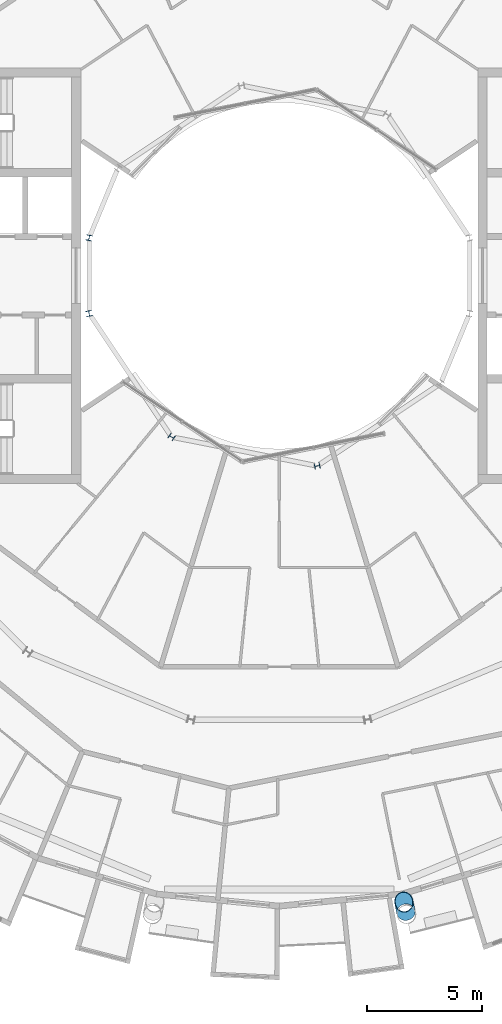
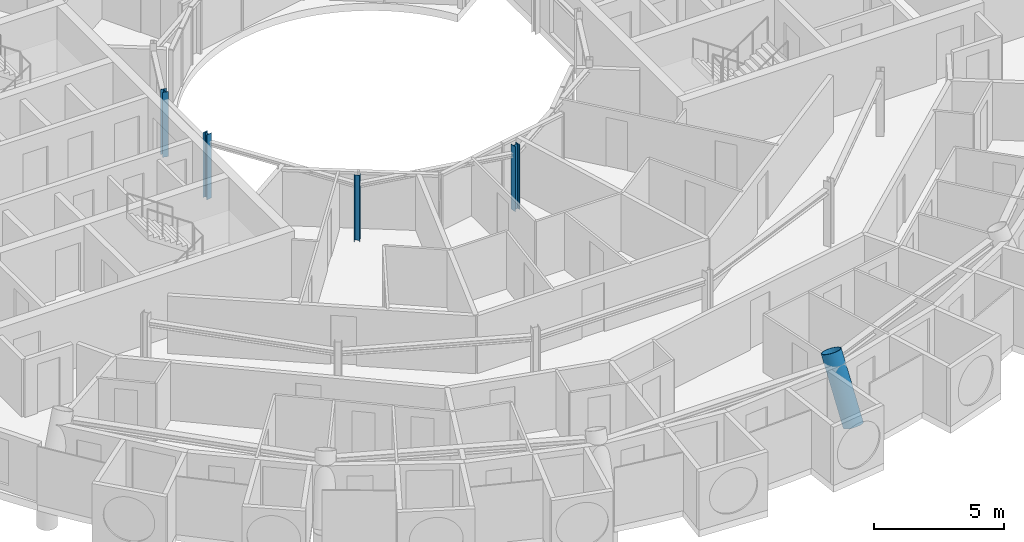
# One storey, part 2 of 28: 5 columns.
"""IFC4 building model written with IfcOpenShell, lengths in metres."""

from ifc_helpers import new_model, si_unit, direction, frame, origin, origin_2d, place, context, subcontext, project, spatial, hollow_circle, i_section, extrude, material, material_profile, profile_set, type_object, element, save


model = new_model("IFC4")

# Units and contexts
model_context = context("Model", 3, precision=1e-05, world=origin(), true_north=direction((0.0, 1.0)))
body_context = subcontext(model_context, "Body", "Model", "MODEL_VIEW")
ifc_project = project(units=[si_unit("LENGTHUNIT", "METRE"), si_unit("AREAUNIT", "SQUARE_METRE"), si_unit("VOLUMEUNIT", "CUBIC_METRE"), si_unit("PLANEANGLEUNIT", "RADIAN"), si_unit("MASSUNIT", "GRAM", prefix="KILO")], contexts=[model_context])

# Site, building, storey
site_placement = place(None, origin())
site = spatial("IfcSite", under=ifc_project, at=site_placement, CompositionType="ELEMENT")
building_placement = place(site_placement, origin())
building = spatial("IfcBuilding", under=site, at=building_placement, Name="Maasbend Ring Residences", CompositionType="ELEMENT")
storey_placement = place(building_placement, frame((0.0, 0.0, 231.0)))
storey = spatial("IfcBuildingStorey", under=building, at=storey_placement, Name="L66", CompositionType="ELEMENT", Elevation=231.0)

# Columns
ifc_material_1 = material(Name="Composite concrete-filled steel tube S460NH / C80/95", Category="concrete")
ifc_material_profile_1 = material_profile(ifc_material_1, hollow_circle(Radius=0.406494140625, WallThickness=0.030029296875, at=origin_2d()), Name="Composite tube column CHS 813x30")
ifc_profile_set_1 = profile_set([ifc_material_profile_1], Name="Composite concrete-filled steel tube S460NH / C80/95")
column_type_1 = type_object("IfcColumnType", Name="Composite tube column CHS 813x30", PredefinedType="COLUMN", material=ifc_profile_set_1)
column_placement = place(storey_placement, frame((5.479736328125, -27.54931640625, 0.24169921875), z_axis=(-0.081298824586, 0.40918038147, 0.908824469598), x_axis=(-0.9808275518, -0.194877688898, 0.0)))
element("IfcColumn", 1, at=column_placement, inside=storey, type_object=column_type_1, Name="Outer column R13", PredefinedType="COLUMN", context=body_context, shape_type="SweptSolid", body=[
    extrude(hollow_circle(Radius=0.406494140625, WallThickness=0.030029296875, at=origin_2d()), origin(), (0.0, 0.0, 1.0), 3.090087890625),
])
ifc_material_2 = material(Name="Steel S355J2", Category="steel")
ifc_material_profile_2 = material_profile(ifc_material_2, i_section(OverallWidth=0.239990234375, OverallDepth=0.22998046875, WebThickness=0.007568359375, FlangeThickness=0.011962890625, FilletRadius=0.02099609375, at=origin_2d()), Name="HEA 240")
ifc_profile_set_2 = profile_set([ifc_material_profile_2], Name="Steel S355J2")
column_type_2 = type_object("IfcColumnType", Name="Steel column HEA 240", PredefinedType="COLUMN", material=ifc_profile_set_2)
for number, where, z_axis, x_axis, name in (
    (2, (-8.238525390625, 1.638916015625, 0.0), (0.0, 0.0, 1.0), (-0.980785280403, 0.195090322016, 0.0), "Well ring column R8"),
    (3, (-8.238525390625, -1.638916015625, 0.0), (0.0, 0.0, 1.0), (-0.980785280403, -0.195090322016, 0.0), "Well ring column R9"),
    (4, (-4.666748046875, -6.984375, 0.0), (0.0, 0.0, 1.0), (-0.55557023302, -0.831469612303, 0.0), "Well ring column R11"),
    (5, (1.638916015625, -8.238525390625, 0.0), (0.0, 0.0, 1.0), (0.195090322016, -0.980785280403, 0.0), "Well ring column R13"),
):
    element("IfcColumn", number, at=place(storey_placement, frame(where, z_axis=z_axis, x_axis=x_axis)), inside=storey, type_object=column_type_2, Name=name, PredefinedType="COLUMN", context=body_context, shape_type="SweptSolid", body=[
        extrude(i_section(OverallWidth=0.239990234375, OverallDepth=0.22998046875, WebThickness=0.007568359375, FlangeThickness=0.011962890625, FilletRadius=0.02099609375, at=origin_2d()), origin(), (0.0, 0.0, 1.0), 3.050048828125),
    ])

save(model, "model.ifc")
